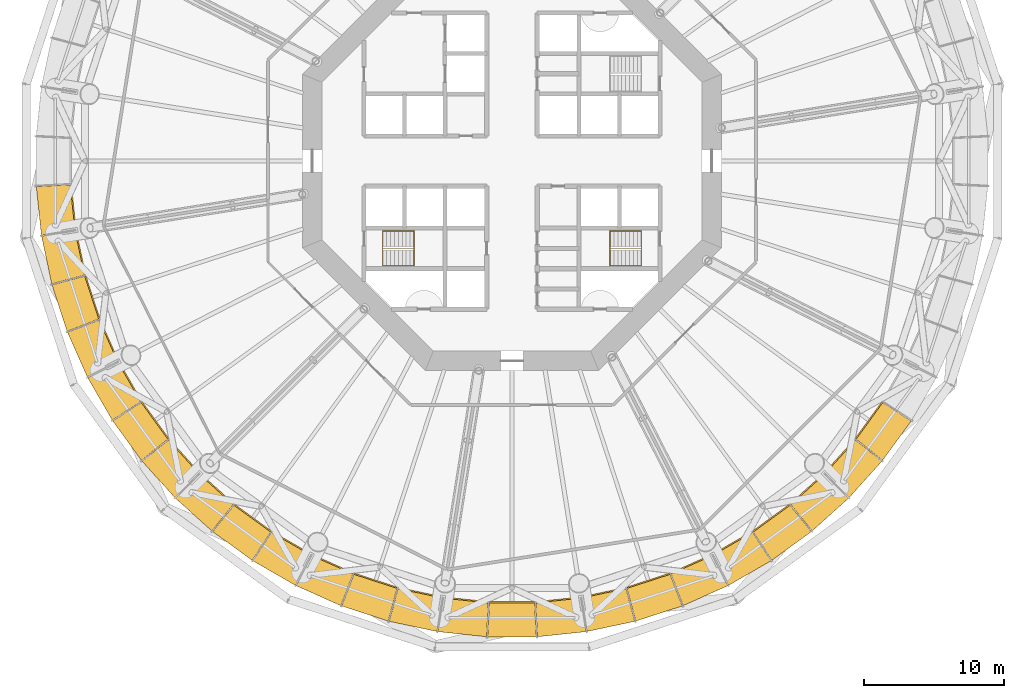
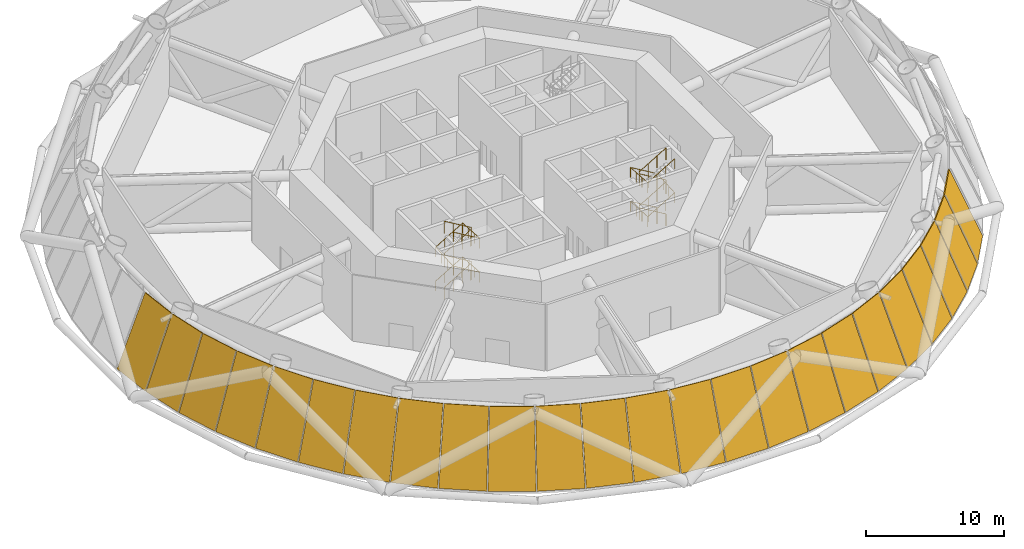
# One storey, part 13 of 14: 24 shading devices, 4 railings.
"""IFC4 building model written with IfcOpenShell, lengths in metres."""

from ifc_helpers import new_model, si_unit, direction, frame, origin, origin_2d, place, context, subcontext, project, spatial, polyline, circle, outline, extrude, material, layer, layer_set, type_object, element, save


model = new_model("IFC4")

# Units and contexts
model_context = context("Model", 3, precision=1e-05, world=origin(), true_north=direction((0.0, 1.0)))
body_context = subcontext(model_context, "Body", "Model", "MODEL_VIEW")
ifc_project = project(units=[si_unit("LENGTHUNIT", "METRE"), si_unit("AREAUNIT", "SQUARE_METRE"), si_unit("VOLUMEUNIT", "CUBIC_METRE"), si_unit("PLANEANGLEUNIT", "RADIAN"), si_unit("MASSUNIT", "GRAM", prefix="KILO")], contexts=[model_context])

# Site, building, storey
site_placement = place(None, origin())
site = spatial("IfcSite", under=ifc_project, at=site_placement, CompositionType="ELEMENT")
building_placement = place(site_placement, origin())
building = spatial("IfcBuilding", under=site, at=building_placement, Name="Entoto Ring Tower", CompositionType="ELEMENT")
storey_placement = place(building_placement, frame((0.0, 0.0, 74.0)))
storey = spatial("IfcBuildingStorey", under=building, at=storey_placement, Name="L16", CompositionType="ELEMENT", Elevation=74.0)

# Shading devices
ifc_material_1 = material(Name="Anodised aluminium", Category="aluminium")
ifc_layer = layer(ifc_material_1, 0.10009765625)
ifc_layer_set = layer_set([ifc_layer], Name="Anodised aluminium")
shading_device_type = type_object("IfcShadingDeviceType", Name="Louvre bank 100 mm anodised aluminium", PredefinedType="JALOUSIE", material=ifc_layer_set)
shading_device_1_placement = place(storey_placement, frame((55.95849609375, 78.176025390625, 0.03857421875), z_axis=(-0.91802226791, -0.096471613797, 0.384614538664), x_axis=(0.10450696166, -0.994524154998, -9.443835e-06)))
element("IfcShadingDevice", 1, at=shading_device_1_placement, inside=storey, type_object=shading_device_type, Name="LOUVRE L16-29", PredefinedType="JALOUSIE", context=body_context, shape_type="SweptSolid", body=[
    extrude(outline(polyline([(0.0, 0.0), (3.488577065537489, -2.7755575615628914e-17), (3.3615013711931723, 6.2958490444572055), (0.12698174029501186, 6.295780261680542), (0.0, 0.0)])), origin(), (0.0, 0.0, -1.0), 0.10009765625),
])
shading_device_2_placement = place(storey_placement, frame((56.335693359375, 74.627685546875, 0.03857421875), z_axis=(-0.902909987231, -0.19190524491, 0.384611403803), x_axis=(0.20789020714, -0.978152166843, -1.6606017e-05)))
element("IfcShadingDevice", 2, at=shading_device_2_placement, inside=storey, type_object=shading_device_type, Name="LOUVRE L16-30", PredefinedType="JALOUSIE", context=body_context, shape_type="SweptSolid", body=[
    extrude(outline(polyline([(0.0, 0.0), (3.4885416872972406, 5.551115123125783e-17), (3.361411349583946, 6.295866216661748), (0.12688706960633642, 6.295745269922052), (0.0, 0.0)])), origin(), (0.0, 0.0, -1.0), 0.10009765625),
])
shading_device_3_placement = place(storey_placement, frame((57.08154296875, 71.13818359375, 0.03857421875), z_axis=(-0.877892095982, -0.285267163191, 0.384614239749), x_axis=(0.309042211234, -0.951048322442, 7.429695e-06)))
element("IfcShadingDevice", 3, at=shading_device_3_placement, inside=storey, type_object=shading_device_type, Name="LOUVRE L16-31", PredefinedType="JALOUSIE", context=body_context, shape_type="SweptSolid", body=[
    extrude(outline(polyline([(0.0, 0.0), (3.488409682245697, 0.0), (3.3616604780128694, 6.295786746509325), (0.1271810650329989, 6.295840857918346), (0.0, 0.0)])), origin(), (0.0, 0.0, -1.0), 0.10009765625),
])
shading_device_4_placement = place(storey_placement, frame((58.188232421875, 67.745849609375, 0.03857421875), z_axis=(-0.843278285989, -0.375449562023, 0.384602858486), x_axis=(0.406734877609, -0.913546243677, 3.98764e-07)))
element("IfcShadingDevice", 4, at=shading_device_4_placement, inside=storey, type_object=shading_device_type, Name="LOUVRE L16-32", PredefinedType="JALOUSIE", context=body_context, shape_type="SweptSolid", body=[
    extrude(outline(polyline([(0.0, 0.0), (3.488617132231978, -1.1102230246251565e-16), (3.3616704553291115, 6.295780008429408), (0.12693950100770324, 6.2957829128638085), (0.0, 0.0)])), origin(), (0.0, 0.0, -1.0), 0.10009765625),
])
shading_device_5_placement = place(storey_placement, frame((59.6435546875, 64.487548828125, 0.03857421875), z_axis=(-0.799417979185, -0.461522422736, 0.384614024533), x_axis=(0.499983906631, -0.866034695085, 4.403413e-06)))
element("IfcShadingDevice", 5, at=shading_device_5_placement, inside=storey, type_object=shading_device_type, Name="LOUVRE L16-33", PredefinedType="JALOUSIE", context=body_context, shape_type="SweptSolid", body=[
    extrude(outline(polyline([(0.0, 0.0), (3.488329674304471, 0.0), (3.361186870779202, 6.29579715813311), (0.12662254242796223, 6.2958292287652196), (0.0, 0.0)])), origin(), (0.0, 0.0, -1.0), 0.10009765625),
])
shading_device_6_placement = place(storey_placement, frame((61.43115234375, 61.3994140625, 0.03857421875), z_axis=(-0.746783475485, -0.542572822255, 0.384615617587), x_axis=(0.587793049186, -0.809011329362, 1.7097404e-05)))
element("IfcShadingDevice", 6, at=shading_device_6_placement, inside=storey, type_object=shading_device_type, Name="LOUVRE L16-34", PredefinedType="JALOUSIE", context=body_context, shape_type="SweptSolid", body=[
    extrude(outline(polyline([(0.0, 0.0), (3.488338812551327, 0.0), (3.3615499775216637, 6.2957554571779415), (0.12694623888782516, 6.29587998079726), (0.0, 0.0)])), origin(), (0.0, 0.0, -1.0), 0.10009765625),
])
shading_device_7_placement = place(storey_placement, frame((63.531982421875, 58.51513671875, 0.03857421875), z_axis=(-0.685973480433, -0.617657708682, 0.384628832835), x_axis=(0.669135771194, -0.743140174962, 8.153709e-06)))
element("IfcShadingDevice", 7, at=shading_device_7_placement, inside=storey, type_object=shading_device_type, Name="LOUVRE L16-35", PredefinedType="JALOUSIE", context=body_context, shape_type="SweptSolid", body=[
    extrude(outline(polyline([(0.0, 0.0), (3.488347042512042, -1.1102230246251565e-16), (3.3615065061916796, 6.295825583545586), (0.12692477418292608, 6.295884968780477), (0.0, 0.0)])), origin(), (0.0, 0.0, -1.0), 0.10009765625),
])
shading_device_8_placement = place(storey_placement, frame((65.9228515625, 55.8662109375, 0.03857421875), z_axis=(-0.617657708682, -0.685973480433, 0.384628832835), x_axis=(0.743140174962, -0.669135771194, -8.153709e-06)))
element("IfcShadingDevice", 8, at=shading_device_8_placement, inside=storey, type_object=shading_device_type, Name="LOUVRE L16-36", PredefinedType="JALOUSIE", context=body_context, shape_type="SweptSolid", body=[
    extrude(outline(polyline([(0.0, 0.0), (3.488347042512042, 1.1102230246251565e-16), (3.361422268329115, 6.295884968780477), (0.12684053632036169, 6.295825583545586), (0.0, 0.0)])), origin(), (0.0, 0.0, -1.0), 0.10009765625),
])
shading_device_9_placement = place(storey_placement, frame((68.577392578125, 53.481689453125, 0.03857421875), z_axis=(-0.542572822255, -0.746783475485, 0.384615617587), x_axis=(0.809011329362, -0.587793049186, -1.7097404e-05)))
element("IfcShadingDevice", 9, at=shading_device_9_placement, inside=storey, type_object=shading_device_type, Name="LOUVRE L16-37", PredefinedType="JALOUSIE", context=body_context, shape_type="SweptSolid", body=[
    extrude(outline(polyline([(0.0, 0.0), (3.488338812551327, 0.0), (3.361392573663502, 6.29587998079726), (0.12678883502966345, 6.295755457177941), (0.0, 0.0)])), origin(), (0.0, 0.0, -1.0), 0.10009765625),
])
shading_device_10_placement = place(storey_placement, frame((71.466552734375, 51.3876953125, 0.03857421875), z_axis=(-0.461522422736, -0.799417979185, 0.384614024533), x_axis=(0.866034695085, -0.499983906631, -4.403413e-06)))
element("IfcShadingDevice", 10, at=shading_device_10_placement, inside=storey, type_object=shading_device_type, Name="LOUVRE L16-38", PredefinedType="JALOUSIE", context=body_context, shape_type="SweptSolid", body=[
    extrude(outline(polyline([(0.0, 0.0), (3.488329674304471, 0.0), (3.361707131876509, 6.2958292287652196), (0.12714280352526897, 6.29579715813311), (0.0, 0.0)])), origin(), (0.0, 0.0, -1.0), 0.10009765625),
])
shading_device_11_placement = place(storey_placement, frame((74.558837890625, 49.607177734375, 0.03857421875), z_axis=(-0.375449562023, -0.843278285989, 0.384602858486), x_axis=(0.913546243677, -0.406734877609, -3.98764e-07)))
element("IfcShadingDevice", 11, at=shading_device_11_placement, inside=storey, type_object=shading_device_type, Name="LOUVRE L16-39", PredefinedType="JALOUSIE", context=body_context, shape_type="SweptSolid", body=[
    extrude(outline(polyline([(0.0, 0.0), (3.488617132231978, 1.1102230246251565e-16), (3.3616776312242744, 6.2957829128638085), (0.12694667690286632, 6.295780008429408), (0.0, 0.0)])), origin(), (0.0, 0.0, -1.0), 0.10009765625),
])
shading_device_12_placement = place(storey_placement, frame((77.820556640625, 48.15966796875, 0.03857421875), z_axis=(-0.285267163191, -0.877892095982, 0.384614239749), x_axis=(0.951048322442, -0.309042211234, -7.429695e-06)))
element("IfcShadingDevice", 12, at=shading_device_12_placement, inside=storey, type_object=shading_device_type, Name="LOUVRE L16-40", PredefinedType="JALOUSIE", context=body_context, shape_type="SweptSolid", body=[
    extrude(outline(polyline([(0.0, 0.0), (3.488409682245697, 0.0), (3.3612286172126984, 6.295840857918345), (0.12674920423282818, 6.295786746509325), (0.0, 0.0)])), origin(), (0.0, 0.0, -1.0), 0.10009765625),
])
shading_device_13_placement = place(storey_placement, frame((81.21533203125, 47.060791015625, 0.03857421875), z_axis=(-0.19190524491, -0.902909987231, 0.384611403803), x_axis=(0.978152166843, -0.20789020714, 1.6606017e-05)))
element("IfcShadingDevice", 13, at=shading_device_13_placement, inside=storey, type_object=shading_device_type, Name="LOUVRE L16-41", PredefinedType="JALOUSIE", context=body_context, shape_type="SweptSolid", body=[
    extrude(outline(polyline([(0.0, 0.0), (3.4885416872972406, -5.551115123125783e-17), (3.3616546176909043, 6.295745269922052), (0.12713033771329438, 6.295866216661748), (0.0, 0.0)])), origin(), (0.0, 0.0, -1.0), 0.10009765625),
])
shading_device_14_placement = place(storey_placement, frame((84.70654296875, 46.322998046875, 0.03857421875), z_axis=(-0.096471613797, -0.91802226791, 0.384614538664), x_axis=(0.994524154998, -0.10450696166, 9.443835e-06)))
element("IfcShadingDevice", 14, at=shading_device_14_placement, inside=storey, type_object=shading_device_type, Name="LOUVRE L16-42", PredefinedType="JALOUSIE", context=body_context, shape_type="SweptSolid", body=[
    extrude(outline(polyline([(0.0, 0.0), (3.488577065537489, 2.7755575615628914e-17), (3.3615953252424773, 6.295780261680542), (0.1270756943443168, 6.2958490444572055), (0.0, 0.0)])), origin(), (0.0, 0.0, -1.0), 0.10009765625),
])
shading_device_15_placement = place(storey_placement, frame((88.255859375, 45.954345703125, 0.03857421875), z_axis=(0.0, -0.923081512173, 0.384604370599), x_axis=(1.0, 0.0, 0.0)))
element("IfcShadingDevice", 15, at=shading_device_15_placement, inside=storey, type_object=shading_device_type, Name="LOUVRE L16-43", PredefinedType="JALOUSIE", context=body_context, shape_type="SweptSolid", body=[
    extrude(outline(polyline([(0.0, 0.0), (3.48828125, 0.0), (3.361328125, 6.295785757659699), (0.126953125, 6.295785757659699), (0.0, 0.0)])), origin(), (0.0, 0.0, -1.0), 0.10009765625),
])
shading_device_16_placement = place(storey_placement, frame((91.823974609375, 45.95849609375, 0.03857421875), z_axis=(0.096471613797, -0.91802226791, 0.384614538664), x_axis=(0.994524154998, 0.10450696166, -9.443835e-06)))
element("IfcShadingDevice", 16, at=shading_device_16_placement, inside=storey, type_object=shading_device_type, Name="LOUVRE L16-44", PredefinedType="JALOUSIE", context=body_context, shape_type="SweptSolid", body=[
    extrude(outline(polyline([(0.0, 0.0), (3.488577065537489, -2.7755575615628914e-17), (3.3615013711931723, 6.2958490444572055), (0.12698174029501186, 6.295780261680542), (0.0, 0.0)])), origin(), (0.0, 0.0, -1.0), 0.10009765625),
])
shading_device_17_placement = place(storey_placement, frame((95.372314453125, 46.335693359375, 0.03857421875), z_axis=(0.19190524491, -0.902909987231, 0.384611403803), x_axis=(0.978152166843, 0.20789020714, -1.6606017e-05)))
element("IfcShadingDevice", 17, at=shading_device_17_placement, inside=storey, type_object=shading_device_type, Name="LOUVRE L16-45", PredefinedType="JALOUSIE", context=body_context, shape_type="SweptSolid", body=[
    extrude(outline(polyline([(0.0, 0.0), (3.4885416872972406, 5.551115123125783e-17), (3.361411349583946, 6.295866216661748), (0.12688706960633642, 6.295745269922052), (0.0, 0.0)])), origin(), (0.0, 0.0, -1.0), 0.10009765625),
])
shading_device_18_placement = place(storey_placement, frame((98.86181640625, 47.08154296875, 0.03857421875), z_axis=(0.285267163191, -0.877892095982, 0.384614239749), x_axis=(0.951048322442, 0.309042211234, 7.429695e-06)))
element("IfcShadingDevice", 18, at=shading_device_18_placement, inside=storey, type_object=shading_device_type, Name="LOUVRE L16-46", PredefinedType="JALOUSIE", context=body_context, shape_type="SweptSolid", body=[
    extrude(outline(polyline([(0.0, 0.0), (3.488409682245697, 0.0), (3.3616604780128694, 6.295786746509325), (0.1271810650329989, 6.295840857918346), (0.0, 0.0)])), origin(), (0.0, 0.0, -1.0), 0.10009765625),
])
shading_device_19_placement = place(storey_placement, frame((102.254150390625, 48.188232421875, 0.03857421875), z_axis=(0.375449562023, -0.843278285989, 0.384602858486), x_axis=(0.913546243677, 0.406734877609, 3.98764e-07)))
element("IfcShadingDevice", 19, at=shading_device_19_placement, inside=storey, type_object=shading_device_type, Name="LOUVRE L16-47", PredefinedType="JALOUSIE", context=body_context, shape_type="SweptSolid", body=[
    extrude(outline(polyline([(0.0, 0.0), (3.488617132231978, -1.1102230246251565e-16), (3.3616704553291115, 6.295780008429408), (0.12693950100770324, 6.2957829128638085), (0.0, 0.0)])), origin(), (0.0, 0.0, -1.0), 0.10009765625),
])
shading_device_20_placement = place(storey_placement, frame((105.512451171875, 49.6435546875, 0.03857421875), z_axis=(0.461522422736, -0.799417979185, 0.384614024533), x_axis=(0.866034695085, 0.499983906631, 4.403413e-06)))
element("IfcShadingDevice", 20, at=shading_device_20_placement, inside=storey, type_object=shading_device_type, Name="LOUVRE L16-48", PredefinedType="JALOUSIE", context=body_context, shape_type="SweptSolid", body=[
    extrude(outline(polyline([(0.0, 0.0), (3.488329674304471, 0.0), (3.361186870779202, 6.29579715813311), (0.12662254242796223, 6.2958292287652196), (0.0, 0.0)])), origin(), (0.0, 0.0, -1.0), 0.10009765625),
])
shading_device_21_placement = place(storey_placement, frame((108.6005859375, 51.43115234375, 0.03857421875), z_axis=(0.542572822255, -0.746783475485, 0.384615617587), x_axis=(0.809011329362, 0.587793049186, 1.7097404e-05)))
element("IfcShadingDevice", 21, at=shading_device_21_placement, inside=storey, type_object=shading_device_type, Name="LOUVRE L16-49", PredefinedType="JALOUSIE", context=body_context, shape_type="SweptSolid", body=[
    extrude(outline(polyline([(0.0, 0.0), (3.488338812551327, 0.0), (3.3615499775216637, 6.2957554571779415), (0.12694623888782516, 6.29587998079726), (0.0, 0.0)])), origin(), (0.0, 0.0, -1.0), 0.10009765625),
])
shading_device_22_placement = place(storey_placement, frame((111.48486328125, 53.531982421875, 0.03857421875), z_axis=(0.617657708682, -0.685973480433, 0.384628832835), x_axis=(0.743140174962, 0.669135771194, 8.153709e-06)))
element("IfcShadingDevice", 22, at=shading_device_22_placement, inside=storey, type_object=shading_device_type, Name="LOUVRE L16-50", PredefinedType="JALOUSIE", context=body_context, shape_type="SweptSolid", body=[
    extrude(outline(polyline([(0.0, 0.0), (3.488347042512042, -1.1102230246251565e-16), (3.3615065061916796, 6.295825583545586), (0.12692477418292608, 6.295884968780477), (0.0, 0.0)])), origin(), (0.0, 0.0, -1.0), 0.10009765625),
])
shading_device_23_placement = place(storey_placement, frame((114.1337890625, 55.9228515625, 0.03857421875), z_axis=(0.685973480433, -0.617657708682, 0.384628832835), x_axis=(0.669135771194, 0.743140174962, -8.153709e-06)))
element("IfcShadingDevice", 23, at=shading_device_23_placement, inside=storey, type_object=shading_device_type, Name="LOUVRE L16-51", PredefinedType="JALOUSIE", context=body_context, shape_type="SweptSolid", body=[
    extrude(outline(polyline([(0.0, 0.0), (3.488347042512042, 1.1102230246251565e-16), (3.361422268329115, 6.295884968780477), (0.12684053632036169, 6.295825583545586), (0.0, 0.0)])), origin(), (0.0, 0.0, -1.0), 0.10009765625),
])
shading_device_24_placement = place(storey_placement, frame((116.518310546875, 58.577392578125, 0.03857421875), z_axis=(0.746783475485, -0.542572822255, 0.384615617587), x_axis=(0.587793049186, 0.809011329362, -1.7097404e-05)))
element("IfcShadingDevice", 24, at=shading_device_24_placement, inside=storey, type_object=shading_device_type, Name="LOUVRE L16-52", PredefinedType="JALOUSIE", context=body_context, shape_type="SweptSolid", body=[
    extrude(outline(polyline([(0.0, 0.0), (3.488338812551327, 0.0), (3.361392573663502, 6.29587998079726), (0.12678883502966345, 6.295755457177941), (0.0, 0.0)])), origin(), (0.0, 0.0, -1.0), 0.10009765625),
])

# Railings
ifc_material_2 = material(Name="Steel S275", Category="steel")
railing_type_1 = type_object("IfcRailingType", Name="Stair guard 1100 mm steel", PredefinedType="GUARDRAIL", material=ifc_material_2)
railing_1_placement = place(storey_placement, frame((80.75, 73.75, 0.166748046875)))
element("IfcRailing", 25, at=railing_1_placement, inside=storey, type_object=railing_type_1, Name="Guard ST2", PredefinedType="GUARDRAIL", context=body_context, shape_type="SweptSolid", body=[
    extrude(circle(Radius=0.02392578125, at=origin_2d()), frame((0.0, 0.0, 1.076171875), z_axis=(0.859305625298, 0.0, 0.511462454469), x_axis=(0.0, 1.0, 0.0)), (0.0, 0.0, 1.0), 2.606689453125),
    extrude(circle(Radius=0.02392578125, at=origin_2d()), frame((2.239990234375, 0.0, 2.4091796875), z_axis=(0.0, 0.0, 1.0), x_axis=(1.0, 0.0, 0.0)), (0.0, 0.0, 1.0), 0.166748046875),
    extrude(circle(Radius=0.02392578125, at=origin_2d()), frame((2.239990234375, 0.0, 2.576171875), z_axis=(-0.859305625298, 0.0, 0.511462454469), x_axis=(0.0, -1.0, 0.0)), (0.0, 0.0, 1.0), 2.606689453125),
    extrude(circle(Radius=0.02392578125, at=origin_2d()), frame((0.0, 0.0, 3.9091796875), z_axis=(0.0, 0.0, 1.0), x_axis=(1.0, 0.0, 0.0)), (0.0, 0.0, 1.0), 0.166748046875),
    extrude(circle(Radius=0.02392578125, at=origin_2d()), frame((0.0, 0.0, 4.076171875), z_axis=(0.859305625298, 0.0, 0.511462454469), x_axis=(0.0, 1.0, 0.0)), (0.0, 0.0, 1.0), 2.606689453125),
    extrude(circle(Radius=0.02392578125, at=origin_2d()), frame((2.239990234375, 0.0, 5.4091796875), z_axis=(0.0, 0.0, 1.0), x_axis=(1.0, 0.0, 0.0)), (0.0, 0.0, 1.0), 0.166748046875),
    extrude(circle(Radius=0.02392578125, at=origin_2d()), frame((2.239990234375, 0.0, 5.576171875), z_axis=(-0.859305625298, 0.0, 0.511462454469), x_axis=(0.0, -1.0, 0.0)), (0.0, 0.0, 1.0), 2.606689453125),
    extrude(circle(Radius=0.02099609375, at=origin_2d()), origin(), (0.0, 0.0, 1.0), 1.052001953125),
    extrude(circle(Radius=0.02099609375, at=origin_2d()), frame((0.74658203125, 0.0, 0.4443359375)), (0.0, 0.0, 1.0), 1.052001953125),
    extrude(circle(Radius=0.02099609375, at=origin_2d()), frame((1.493408203125, 0.0, 0.888916015625)), (0.0, 0.0, 1.0), 1.052001953125),
    extrude(circle(Radius=0.02099609375, at=origin_2d()), frame((2.239990234375, 0.0, 1.333251953125)), (0.0, 0.0, 1.0), 1.052001953125),
    extrude(circle(Radius=0.02099609375, at=origin_2d()), frame((2.239990234375, 0.0, 1.5)), (0.0, 0.0, 1.0), 1.052001953125),
    extrude(circle(Radius=0.02099609375, at=origin_2d()), frame((1.493408203125, 0.0, 1.9443359375)), (0.0, 0.0, 1.0), 1.052001953125),
    extrude(circle(Radius=0.02099609375, at=origin_2d()), frame((0.74658203125, 0.0, 2.388916015625)), (0.0, 0.0, 1.0), 1.052001953125),
    extrude(circle(Radius=0.02099609375, at=origin_2d()), frame((0.0, 0.0, 2.833251953125)), (0.0, 0.0, 1.0), 1.052001953125),
    extrude(circle(Radius=0.02099609375, at=origin_2d()), frame((0.0, 0.0, 3.0)), (0.0, 0.0, 1.0), 1.052001953125),
    extrude(circle(Radius=0.02099609375, at=origin_2d()), frame((0.74658203125, 0.0, 3.4443359375)), (0.0, 0.0, 1.0), 1.052001953125),
    extrude(circle(Radius=0.02099609375, at=origin_2d()), frame((1.493408203125, 0.0, 3.888916015625)), (0.0, 0.0, 1.0), 1.052001953125),
    extrude(circle(Radius=0.02099609375, at=origin_2d()), frame((2.239990234375, 0.0, 4.333251953125)), (0.0, 0.0, 1.0), 1.052001953125),
    extrude(circle(Radius=0.02099609375, at=origin_2d()), frame((2.239990234375, 0.0, 4.5)), (0.0, 0.0, 1.0), 1.052001953125),
    extrude(circle(Radius=0.02099609375, at=origin_2d()), frame((1.493408203125, 0.0, 4.9443359375)), (0.0, 0.0, 1.0), 1.052001953125),
    extrude(circle(Radius=0.02099609375, at=origin_2d()), frame((0.74658203125, 0.0, 5.388916015625)), (0.0, 0.0, 1.0), 1.052001953125),
    extrude(circle(Radius=0.02099609375, at=origin_2d()), frame((0.0, 0.0, 5.833251953125)), (0.0, 0.0, 1.0), 1.052001953125),
])
railing_2_placement = place(storey_placement, frame((99.25, 73.75, 0.166748046875)))
element("IfcRailing", 26, at=railing_2_placement, inside=storey, type_object=railing_type_1, Name="Guard ST3", PredefinedType="GUARDRAIL", context=body_context, shape_type="SweptSolid", body=[
    extrude(circle(Radius=0.02392578125, at=origin_2d()), frame((0.0, 0.0, 1.076171875), z_axis=(-0.859305625298, 0.0, 0.511462454469), x_axis=(0.0, -1.0, 0.0)), (0.0, 0.0, 1.0), 2.606689453125),
    extrude(circle(Radius=0.02392578125, at=origin_2d()), frame((-2.239990234375, 0.0, 2.4091796875), z_axis=(0.0, 0.0, 1.0), x_axis=(1.0, 0.0, 0.0)), (0.0, 0.0, 1.0), 0.166748046875),
    extrude(circle(Radius=0.02392578125, at=origin_2d()), frame((-2.239990234375, 0.0, 2.576171875), z_axis=(0.859305625298, 0.0, 0.511462454469), x_axis=(0.0, 1.0, 0.0)), (0.0, 0.0, 1.0), 2.606689453125),
    extrude(circle(Radius=0.02392578125, at=origin_2d()), frame((0.0, 0.0, 3.9091796875), z_axis=(0.0, 0.0, 1.0), x_axis=(1.0, 0.0, 0.0)), (0.0, 0.0, 1.0), 0.166748046875),
    extrude(circle(Radius=0.02392578125, at=origin_2d()), frame((0.0, 0.0, 4.076171875), z_axis=(-0.859305625298, 0.0, 0.511462454469), x_axis=(0.0, -1.0, 0.0)), (0.0, 0.0, 1.0), 2.606689453125),
    extrude(circle(Radius=0.02392578125, at=origin_2d()), frame((-2.239990234375, 0.0, 5.4091796875), z_axis=(0.0, 0.0, 1.0), x_axis=(1.0, 0.0, 0.0)), (0.0, 0.0, 1.0), 0.166748046875),
    extrude(circle(Radius=0.02392578125, at=origin_2d()), frame((-2.239990234375, 0.0, 5.576171875), z_axis=(0.859305625298, 0.0, 0.511462454469), x_axis=(0.0, 1.0, 0.0)), (0.0, 0.0, 1.0), 2.606689453125),
    extrude(circle(Radius=0.02099609375, at=origin_2d()), origin(), (0.0, 0.0, 1.0), 1.052001953125),
    extrude(circle(Radius=0.02099609375, at=origin_2d()), frame((-0.74658203125, 0.0, 0.4443359375)), (0.0, 0.0, 1.0), 1.052001953125),
    extrude(circle(Radius=0.02099609375, at=origin_2d()), frame((-1.493408203125, 0.0, 0.888916015625)), (0.0, 0.0, 1.0), 1.052001953125),
    extrude(circle(Radius=0.02099609375, at=origin_2d()), frame((-2.239990234375, 0.0, 1.333251953125)), (0.0, 0.0, 1.0), 1.052001953125),
    extrude(circle(Radius=0.02099609375, at=origin_2d()), frame((-2.239990234375, 0.0, 1.5)), (0.0, 0.0, 1.0), 1.052001953125),
    extrude(circle(Radius=0.02099609375, at=origin_2d()), frame((-1.493408203125, 0.0, 1.9443359375)), (0.0, 0.0, 1.0), 1.052001953125),
    extrude(circle(Radius=0.02099609375, at=origin_2d()), frame((-0.74658203125, 0.0, 2.388916015625)), (0.0, 0.0, 1.0), 1.052001953125),
    extrude(circle(Radius=0.02099609375, at=origin_2d()), frame((0.0, 0.0, 2.833251953125)), (0.0, 0.0, 1.0), 1.052001953125),
    extrude(circle(Radius=0.02099609375, at=origin_2d()), frame((0.0, 0.0, 3.0)), (0.0, 0.0, 1.0), 1.052001953125),
    extrude(circle(Radius=0.02099609375, at=origin_2d()), frame((-0.74658203125, 0.0, 3.4443359375)), (0.0, 0.0, 1.0), 1.052001953125),
    extrude(circle(Radius=0.02099609375, at=origin_2d()), frame((-1.493408203125, 0.0, 3.888916015625)), (0.0, 0.0, 1.0), 1.052001953125),
    extrude(circle(Radius=0.02099609375, at=origin_2d()), frame((-2.239990234375, 0.0, 4.333251953125)), (0.0, 0.0, 1.0), 1.052001953125),
    extrude(circle(Radius=0.02099609375, at=origin_2d()), frame((-2.239990234375, 0.0, 4.5)), (0.0, 0.0, 1.0), 1.052001953125),
    extrude(circle(Radius=0.02099609375, at=origin_2d()), frame((-1.493408203125, 0.0, 4.9443359375)), (0.0, 0.0, 1.0), 1.052001953125),
    extrude(circle(Radius=0.02099609375, at=origin_2d()), frame((-0.74658203125, 0.0, 5.388916015625)), (0.0, 0.0, 1.0), 1.052001953125),
    extrude(circle(Radius=0.02099609375, at=origin_2d()), frame((0.0, 0.0, 5.833251953125)), (0.0, 0.0, 1.0), 1.052001953125),
])
ifc_material_3 = material(Name="Steel S275", Category="steel")
railing_type_2 = type_object("IfcRailingType", Name="Stair handrail 900 mm steel", PredefinedType="HANDRAIL", material=ifc_material_3)
railing_3_placement = place(storey_placement, frame((80.75, 75.0, 0.166748046875)))
element("IfcRailing", 27, at=railing_3_placement, inside=storey, type_object=railing_type_2, Name="Handrail ST2", PredefinedType="HANDRAIL", context=body_context, shape_type="SweptSolid", body=[
    extrude(circle(Radius=0.02392578125, at=origin_2d()), frame((0.0, 0.0, 0.8759765625), z_axis=(0.859305625298, 0.0, 0.511462454469), x_axis=(0.0, 1.0, 0.0)), (0.0, 0.0, 1.0), 2.606689453125),
    extrude(circle(Radius=0.02392578125, at=origin_2d()), frame((2.239990234375, 0.0, 2.208984375), z_axis=(0.0, -0.997783001586, 0.066551346688), x_axis=(1.0, 0.0, 0.0)), (0.0, 0.0, 1.0), 2.505615234375),
    extrude(circle(Radius=0.02392578125, at=origin_2d()), frame((2.239990234375, -2.5, 2.3759765625), z_axis=(-0.859305625298, 0.0, 0.511462454469), x_axis=(0.0, -1.0, 0.0)), (0.0, 0.0, 1.0), 2.606689453125),
    extrude(circle(Radius=0.02392578125, at=origin_2d()), frame((0.0, -2.5, 3.708984375), z_axis=(0.0, 0.997783001586, 0.066551346688), x_axis=(-1.0, 0.0, 0.0)), (0.0, 0.0, 1.0), 2.505615234375),
    extrude(circle(Radius=0.02392578125, at=origin_2d()), frame((0.0, 0.0, 3.8759765625), z_axis=(0.859305625298, 0.0, 0.511462454469), x_axis=(0.0, 1.0, 0.0)), (0.0, 0.0, 1.0), 2.606689453125),
    extrude(circle(Radius=0.02392578125, at=origin_2d()), frame((2.239990234375, 0.0, 5.208984375), z_axis=(0.0, -0.997783001586, 0.066551346688), x_axis=(1.0, 0.0, 0.0)), (0.0, 0.0, 1.0), 2.505615234375),
    extrude(circle(Radius=0.02392578125, at=origin_2d()), frame((2.239990234375, -2.5, 5.3759765625), z_axis=(-0.859305625298, 0.0, 0.511462454469), x_axis=(0.0, -1.0, 0.0)), (0.0, 0.0, 1.0), 2.606689453125),
    extrude(circle(Radius=0.02099609375, at=origin_2d()), origin(), (0.0, 0.0, 1.0), 0.851806640625),
    extrude(circle(Radius=0.02099609375, at=origin_2d()), frame((0.74658203125, 0.0, 0.4443359375)), (0.0, 0.0, 1.0), 0.851806640625),
    extrude(circle(Radius=0.02099609375, at=origin_2d()), frame((1.493408203125, 0.0, 0.888916015625)), (0.0, 0.0, 1.0), 0.851806640625),
    extrude(circle(Radius=0.02099609375, at=origin_2d()), frame((2.239990234375, 0.0, 1.333251953125)), (0.0, 0.0, 1.0), 0.851806640625),
    extrude(circle(Radius=0.02099609375, at=origin_2d()), frame((2.239990234375, -0.833251953125, 1.388916015625)), (0.0, 0.0, 1.0), 0.851806640625),
    extrude(circle(Radius=0.02099609375, at=origin_2d()), frame((2.239990234375, -1.666748046875, 1.4443359375)), (0.0, 0.0, 1.0), 0.851806640625),
    extrude(circle(Radius=0.02099609375, at=origin_2d()), frame((2.239990234375, -2.5, 1.5)), (0.0, 0.0, 1.0), 0.851806640625),
    extrude(circle(Radius=0.02099609375, at=origin_2d()), frame((1.493408203125, -2.5, 1.9443359375)), (0.0, 0.0, 1.0), 0.851806640625),
    extrude(circle(Radius=0.02099609375, at=origin_2d()), frame((0.74658203125, -2.5, 2.388916015625)), (0.0, 0.0, 1.0), 0.851806640625),
    extrude(circle(Radius=0.02099609375, at=origin_2d()), frame((0.0, -2.5, 2.833251953125)), (0.0, 0.0, 1.0), 0.851806640625),
    extrude(circle(Radius=0.02099609375, at=origin_2d()), frame((0.0, -1.666748046875, 2.888916015625)), (0.0, 0.0, 1.0), 0.851806640625),
    extrude(circle(Radius=0.02099609375, at=origin_2d()), frame((0.0, -0.833251953125, 2.9443359375)), (0.0, 0.0, 1.0), 0.851806640625),
    extrude(circle(Radius=0.02099609375, at=origin_2d()), frame((0.0, 0.0, 3.0)), (0.0, 0.0, 1.0), 0.851806640625),
    extrude(circle(Radius=0.02099609375, at=origin_2d()), frame((0.74658203125, 0.0, 3.4443359375)), (0.0, 0.0, 1.0), 0.851806640625),
    extrude(circle(Radius=0.02099609375, at=origin_2d()), frame((1.493408203125, 0.0, 3.888916015625)), (0.0, 0.0, 1.0), 0.851806640625),
    extrude(circle(Radius=0.02099609375, at=origin_2d()), frame((2.239990234375, 0.0, 4.333251953125)), (0.0, 0.0, 1.0), 0.851806640625),
    extrude(circle(Radius=0.02099609375, at=origin_2d()), frame((2.239990234375, -0.833251953125, 4.388916015625)), (0.0, 0.0, 1.0), 0.851806640625),
    extrude(circle(Radius=0.02099609375, at=origin_2d()), frame((2.239990234375, -1.666748046875, 4.4443359375)), (0.0, 0.0, 1.0), 0.851806640625),
    extrude(circle(Radius=0.02099609375, at=origin_2d()), frame((2.239990234375, -2.5, 4.5)), (0.0, 0.0, 1.0), 0.851806640625),
    extrude(circle(Radius=0.02099609375, at=origin_2d()), frame((1.493408203125, -2.5, 4.9443359375)), (0.0, 0.0, 1.0), 0.851806640625),
    extrude(circle(Radius=0.02099609375, at=origin_2d()), frame((0.74658203125, -2.5, 5.388916015625)), (0.0, 0.0, 1.0), 0.851806640625),
    extrude(circle(Radius=0.02099609375, at=origin_2d()), frame((0.0, -2.5, 5.833251953125)), (0.0, 0.0, 1.0), 0.851806640625),
])
railing_4_placement = place(storey_placement, frame((99.25, 75.0, 0.166748046875)))
element("IfcRailing", 28, at=railing_4_placement, inside=storey, type_object=railing_type_2, Name="Handrail ST3", PredefinedType="HANDRAIL", context=body_context, shape_type="SweptSolid", body=[
    extrude(circle(Radius=0.02392578125, at=origin_2d()), frame((0.0, 0.0, 0.8759765625), z_axis=(-0.859305625298, 0.0, 0.511462454469), x_axis=(0.0, -1.0, 0.0)), (0.0, 0.0, 1.0), 2.606689453125),
    extrude(circle(Radius=0.02392578125, at=origin_2d()), frame((-2.239990234375, 0.0, 2.208984375), z_axis=(0.0, -0.997783001586, 0.066551346688), x_axis=(1.0, 0.0, 0.0)), (0.0, 0.0, 1.0), 2.505615234375),
    extrude(circle(Radius=0.02392578125, at=origin_2d()), frame((-2.239990234375, -2.5, 2.3759765625), z_axis=(0.859305625298, 0.0, 0.511462454469), x_axis=(0.0, 1.0, 0.0)), (0.0, 0.0, 1.0), 2.606689453125),
    extrude(circle(Radius=0.02392578125, at=origin_2d()), frame((0.0, -2.5, 3.708984375), z_axis=(0.0, 0.997783001586, 0.066551346688), x_axis=(-1.0, 0.0, 0.0)), (0.0, 0.0, 1.0), 2.505615234375),
    extrude(circle(Radius=0.02392578125, at=origin_2d()), frame((0.0, 0.0, 3.8759765625), z_axis=(-0.859305625298, 0.0, 0.511462454469), x_axis=(0.0, -1.0, 0.0)), (0.0, 0.0, 1.0), 2.606689453125),
    extrude(circle(Radius=0.02392578125, at=origin_2d()), frame((-2.239990234375, 0.0, 5.208984375), z_axis=(0.0, -0.997783001586, 0.066551346688), x_axis=(1.0, 0.0, 0.0)), (0.0, 0.0, 1.0), 2.505615234375),
    extrude(circle(Radius=0.02392578125, at=origin_2d()), frame((-2.239990234375, -2.5, 5.3759765625), z_axis=(0.859305625298, 0.0, 0.511462454469), x_axis=(0.0, 1.0, 0.0)), (0.0, 0.0, 1.0), 2.606689453125),
    extrude(circle(Radius=0.02099609375, at=origin_2d()), origin(), (0.0, 0.0, 1.0), 0.851806640625),
    extrude(circle(Radius=0.02099609375, at=origin_2d()), frame((-0.74658203125, 0.0, 0.4443359375)), (0.0, 0.0, 1.0), 0.851806640625),
    extrude(circle(Radius=0.02099609375, at=origin_2d()), frame((-1.493408203125, 0.0, 0.888916015625)), (0.0, 0.0, 1.0), 0.851806640625),
    extrude(circle(Radius=0.02099609375, at=origin_2d()), frame((-2.239990234375, 0.0, 1.333251953125)), (0.0, 0.0, 1.0), 0.851806640625),
    extrude(circle(Radius=0.02099609375, at=origin_2d()), frame((-2.239990234375, -0.833251953125, 1.388916015625)), (0.0, 0.0, 1.0), 0.851806640625),
    extrude(circle(Radius=0.02099609375, at=origin_2d()), frame((-2.239990234375, -1.666748046875, 1.4443359375)), (0.0, 0.0, 1.0), 0.851806640625),
    extrude(circle(Radius=0.02099609375, at=origin_2d()), frame((-2.239990234375, -2.5, 1.5)), (0.0, 0.0, 1.0), 0.851806640625),
    extrude(circle(Radius=0.02099609375, at=origin_2d()), frame((-1.493408203125, -2.5, 1.9443359375)), (0.0, 0.0, 1.0), 0.851806640625),
    extrude(circle(Radius=0.02099609375, at=origin_2d()), frame((-0.74658203125, -2.5, 2.388916015625)), (0.0, 0.0, 1.0), 0.851806640625),
    extrude(circle(Radius=0.02099609375, at=origin_2d()), frame((0.0, -2.5, 2.833251953125)), (0.0, 0.0, 1.0), 0.851806640625),
    extrude(circle(Radius=0.02099609375, at=origin_2d()), frame((0.0, -1.666748046875, 2.888916015625)), (0.0, 0.0, 1.0), 0.851806640625),
    extrude(circle(Radius=0.02099609375, at=origin_2d()), frame((0.0, -0.833251953125, 2.9443359375)), (0.0, 0.0, 1.0), 0.851806640625),
    extrude(circle(Radius=0.02099609375, at=origin_2d()), frame((0.0, 0.0, 3.0)), (0.0, 0.0, 1.0), 0.851806640625),
    extrude(circle(Radius=0.02099609375, at=origin_2d()), frame((-0.74658203125, 0.0, 3.4443359375)), (0.0, 0.0, 1.0), 0.851806640625),
    extrude(circle(Radius=0.02099609375, at=origin_2d()), frame((-1.493408203125, 0.0, 3.888916015625)), (0.0, 0.0, 1.0), 0.851806640625),
    extrude(circle(Radius=0.02099609375, at=origin_2d()), frame((-2.239990234375, 0.0, 4.333251953125)), (0.0, 0.0, 1.0), 0.851806640625),
    extrude(circle(Radius=0.02099609375, at=origin_2d()), frame((-2.239990234375, -0.833251953125, 4.388916015625)), (0.0, 0.0, 1.0), 0.851806640625),
    extrude(circle(Radius=0.02099609375, at=origin_2d()), frame((-2.239990234375, -1.666748046875, 4.4443359375)), (0.0, 0.0, 1.0), 0.851806640625),
    extrude(circle(Radius=0.02099609375, at=origin_2d()), frame((-2.239990234375, -2.5, 4.5)), (0.0, 0.0, 1.0), 0.851806640625),
    extrude(circle(Radius=0.02099609375, at=origin_2d()), frame((-1.493408203125, -2.5, 4.9443359375)), (0.0, 0.0, 1.0), 0.851806640625),
    extrude(circle(Radius=0.02099609375, at=origin_2d()), frame((-0.74658203125, -2.5, 5.388916015625)), (0.0, 0.0, 1.0), 0.851806640625),
    extrude(circle(Radius=0.02099609375, at=origin_2d()), frame((0.0, -2.5, 5.833251953125)), (0.0, 0.0, 1.0), 0.851806640625),
])

save(model, "model.ifc")
